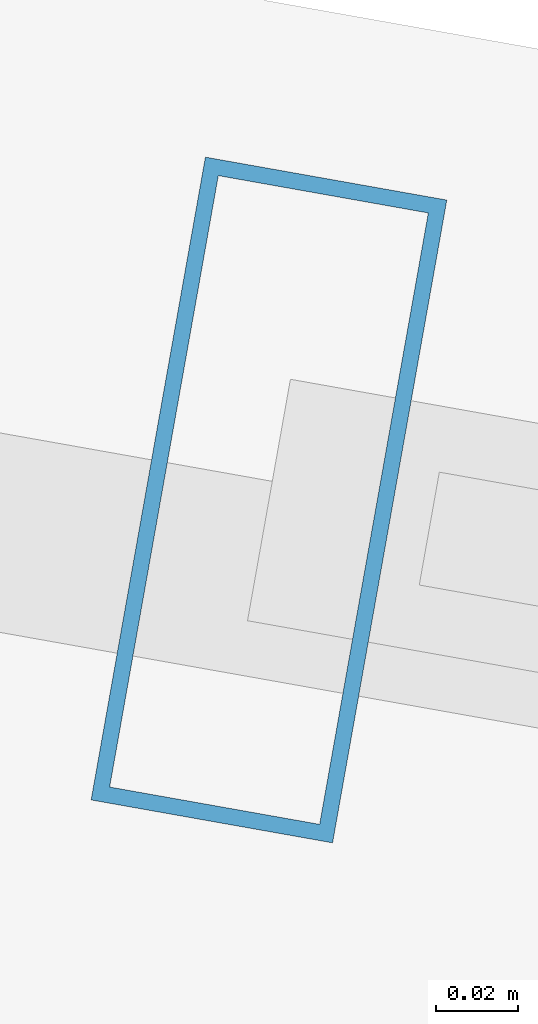
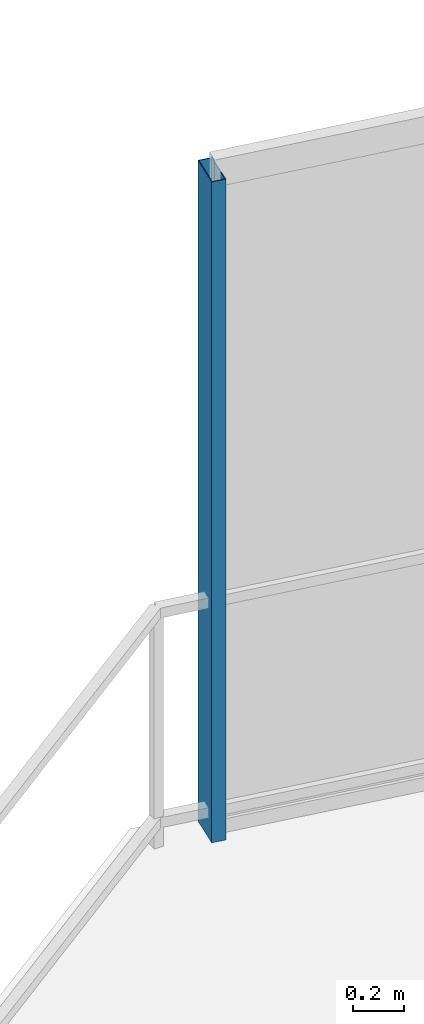
# One storey, part 19 of 33: 1 member, 1 element without a shape of its own.
"""IFC4 building model written with IfcOpenShell, lengths in metres."""

from ifc_helpers import new_model, si_unit, direction, frame, origin, origin_2d, place, context, subcontext, project, spatial, hollow_rectangle, extrude, material, layer, layer_set, material_profile, profile_set, type_object, element, aggregate, save


model = new_model("IFC4")

# Units and contexts
model_context = context("Model", 3, precision=1e-05, world=origin(), true_north=direction((0.0, 1.0)))
body_context = subcontext(model_context, "Body", "Model", "MODEL_VIEW")
ifc_project = project(units=[si_unit("LENGTHUNIT", "METRE"), si_unit("AREAUNIT", "SQUARE_METRE"), si_unit("VOLUMEUNIT", "CUBIC_METRE"), si_unit("PLANEANGLEUNIT", "RADIAN"), si_unit("MASSUNIT", "GRAM", prefix="KILO")], contexts=[model_context])

# Site, building, storey
site_placement = place(None, origin())
site = spatial("IfcSite", under=ifc_project, at=site_placement, CompositionType="ELEMENT")
building_placement = place(site_placement, origin())
building = spatial("IfcBuilding", under=site, at=building_placement, Name="Qarnah Convention Tower", CompositionType="ELEMENT")
storey_placement = place(building_placement, frame((0.0, 0.0, 30.449951171875)))
storey = spatial("IfcBuildingStorey", under=building, at=storey_placement, Name="L06", CompositionType="ELEMENT", Elevation=30.449951171875)

# Curtain wall, member
ifc_material_1 = material(Name="Tempered Low-E dark glass", Category="glass")
ifc_layer = layer(ifc_material_1, 0.16796875)
ifc_layer_set = layer_set([ifc_layer], Name="Tempered Low-E dark glass")
curtain_wall_type = type_object("IfcCurtainWallType", Name="CWS-01", PredefinedType="NOTDEFINED", material=ifc_layer_set)
curtain_wall_placement = place(storey_placement, origin())
curtain_wall = element("IfcCurtainWall", 1, at=curtain_wall_placement, inside=storey, type_object=curtain_wall_type, Name="L06 unitised curtain wall CW-L06-F1", PredefinedType="NOTDEFINED")
ifc_material_2 = material(Name="Black anodised aluminium", Category="aluminium")
ifc_material_profile = material_profile(ifc_material_2, hollow_rectangle(XDim=0.06005859375, YDim=0.159912109375, WallThickness=0.00390625, at=origin_2d()), Name="MUL-60X160")
ifc_profile_set = profile_set([ifc_material_profile], Name="Black anodised aluminium")
member_type = type_object("IfcMemberType", Name="MUL-T1", PredefinedType="MULLION", material=ifc_profile_set)
member_placement = place(storey_placement, frame((24.218994140625, 48.008056640625, 0.0), z_axis=(0.0, 0.0, 1.0), x_axis=(0.984566891232, -0.175008676041, 0.0)))
member = element("IfcMember", 2, at=member_placement, type_object=member_type, Name="CW-L06-F1 mullion 1", PredefinedType="MULLION", context=body_context, shape_type="SweptSolid", body=[
    extrude(hollow_rectangle(XDim=0.06005859375, YDim=0.159912109375, WallThickness=0.00390625, at=origin_2d()), origin(), (0.0, 0.0, 1.0), 3.170166015625),
])
aggregate(curtain_wall, [member])

save(model, "model.ifc")
